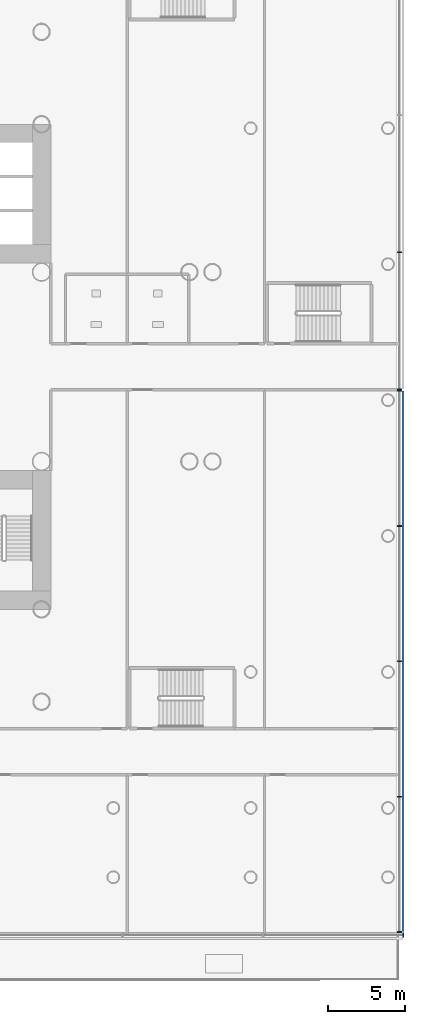
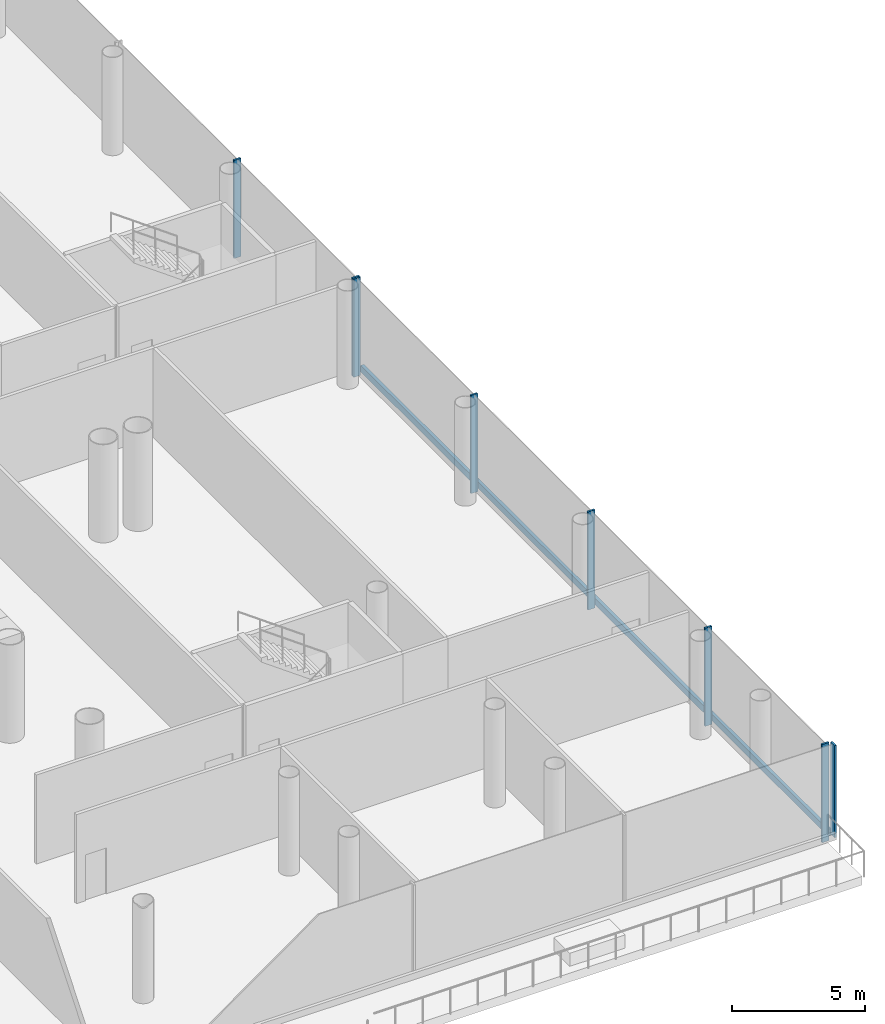
# One storey, part 13 of 49: 9 members, 3 elements without a shape of their own.
"""IFC4 building model written with IfcOpenShell, lengths in metres."""

from ifc_helpers import new_model, si_unit, direction, frame, origin, origin_2d, place, context, subcontext, project, spatial, rectangle, extrude, material, layer, layer_set, material_profile, profile_set, type_object, element, aggregate, save


model = new_model("IFC4")

# Units and contexts
model_context = context("Model", 3, precision=1e-05, world=origin(), true_north=direction((0.0, 1.0)))
body_context = subcontext(model_context, "Body", "Model", "MODEL_VIEW")
ifc_project = project(units=[si_unit("LENGTHUNIT", "METRE"), si_unit("AREAUNIT", "SQUARE_METRE"), si_unit("VOLUMEUNIT", "CUBIC_METRE"), si_unit("PLANEANGLEUNIT", "RADIAN"), si_unit("MASSUNIT", "GRAM", prefix="KILO")], contexts=[model_context])

# Site, building, storey
site_placement = place(None, origin())
site = spatial("IfcSite", under=ifc_project, at=site_placement, CompositionType="ELEMENT")
building_placement = place(site_placement, origin())
building = spatial("IfcBuilding", under=site, at=building_placement, Name="Ipe Terrace Towers", CompositionType="ELEMENT")
storey_placement = place(building_placement, frame((0.0, 0.0, 11.0)))
storey = spatial("IfcBuildingStorey", under=building, at=storey_placement, Name="L02", CompositionType="ELEMENT", Elevation=11.0)

# Curtain wall, members
ifc_material_1 = material(Name="Aluminium alloy 6063-T6", Category="aluminium")
ifc_layer = layer(ifc_material_1, 0.43994140625)
ifc_layer_set = layer_set([ifc_layer], Name="PODIUM GLAZING CURTAIN WALL")
curtain_wall_type = type_object("IfcCurtainWallType", Name="PODIUM GLAZING CURTAIN WALL", PredefinedType="NOTDEFINED", material=ifc_layer_set)
curtain_wall_1_placement = place(storey_placement, origin())
curtain_wall_1 = element("IfcCurtainWall", 1, at=curtain_wall_1_placement, inside=storey, type_object=curtain_wall_type, Name="POD-CW-L02-00a curtain wall", PredefinedType="NOTDEFINED")
ifc_material_2 = material(Name="Aluminium alloy 6063-T6", Category="aluminium")
ifc_material_profile_1 = material_profile(ifc_material_2, rectangle(XDim=0.300048828125, YDim=0.080078125, at=origin_2d()), Name="PODIUM GLAZING MULLION 300 x 80")
ifc_profile_set_1 = profile_set([ifc_material_profile_1], Name="Aluminium alloy 6063-T6")
member_type_1 = type_object("IfcMemberType", Name="PODIUM GLAZING MULLION 300 x 80", PredefinedType="MULLION", material=ifc_profile_set_1)
member_1_placement = place(storey_placement, frame((65.39990234375, -36.7099609375, -0.300048828125), z_axis=(0.0, 0.0, 1.0), x_axis=(1.0, 0.0, 0.0)))
member_1 = element("IfcMember", 2, at=member_1_placement, type_object=member_type_1, Name="POD-CW-L02-00a mullion 1", PredefinedType="MULLION", context=body_context, shape_type="SweptSolid", body=[
    extrude(rectangle(XDim=0.300048828125, YDim=0.080078125, at=origin_2d()), origin(), (0.0, 0.0, 1.0), 4.5),
])
member_2_placement = place(storey_placement, frame((65.39990234375, -27.91748046875, -0.300048828125), z_axis=(0.0, 0.0, 1.0), x_axis=(1.0, 0.0, 0.0)))
member_2 = element("IfcMember", 3, at=member_2_placement, type_object=member_type_1, Name="POD-CW-L02-00a mullion 2", PredefinedType="MULLION", context=body_context, shape_type="SweptSolid", body=[
    extrude(rectangle(XDim=0.300048828125, YDim=0.080078125, at=origin_2d()), origin(), (0.0, 0.0, 1.0), 4.5),
])
member_3_placement = place(storey_placement, frame((65.39990234375, -19.125, -0.300048828125), z_axis=(0.0, 0.0, 1.0), x_axis=(1.0, 0.0, 0.0)))
member_3 = element("IfcMember", 4, at=member_3_placement, type_object=member_type_1, Name="POD-CW-L02-00a mullion 3", PredefinedType="MULLION", context=body_context, shape_type="SweptSolid", body=[
    extrude(rectangle(XDim=0.300048828125, YDim=0.080078125, at=origin_2d()), origin(), (0.0, 0.0, 1.0), 4.5),
])
member_4_placement = place(storey_placement, frame((65.39990234375, -10.33251953125, -0.300048828125), z_axis=(0.0, 0.0, 1.0), x_axis=(1.0, 0.0, 0.0)))
member_4 = element("IfcMember", 5, at=member_4_placement, type_object=member_type_1, Name="POD-CW-L02-00a mullion 4", PredefinedType="MULLION", context=body_context, shape_type="SweptSolid", body=[
    extrude(rectangle(XDim=0.300048828125, YDim=0.080078125, at=origin_2d()), origin(), (0.0, 0.0, 1.0), 4.5),
])
member_5_placement = place(storey_placement, frame((65.39990234375, -1.5400390625, -0.300048828125), z_axis=(0.0, 0.0, 1.0), x_axis=(1.0, 0.0, 0.0)))
member_5 = element("IfcMember", 6, at=member_5_placement, type_object=member_type_1, Name="POD-CW-L02-00a mullion 5", PredefinedType="MULLION", context=body_context, shape_type="SweptSolid", body=[
    extrude(rectangle(XDim=0.300048828125, YDim=0.080078125, at=origin_2d()), origin(), (0.0, 0.0, 1.0), 4.5),
])

curtain_wall_2_placement = place(storey_placement, origin())
curtain_wall_2 = element("IfcCurtainWall", 7, at=curtain_wall_2_placement, inside=storey, type_object=curtain_wall_type, Name="POD-CW-L02-00b curtain wall", PredefinedType="NOTDEFINED")
member_6_placement = place(storey_placement, frame((65.39990234375, -1.4599609375, -0.300048828125), z_axis=(0.0, 0.0, 1.0), x_axis=(1.0, 0.0, 0.0)))
member_6 = element("IfcMember", 8, at=member_6_placement, type_object=member_type_1, Name="POD-CW-L02-00b mullion 1", PredefinedType="MULLION", context=body_context, shape_type="SweptSolid", body=[
    extrude(rectangle(XDim=0.300048828125, YDim=0.080078125, at=origin_2d()), origin(), (0.0, 0.0, 1.0), 4.5),
])
member_7_placement = place(storey_placement, frame((65.39990234375, 7.4423828125, -0.300048828125), z_axis=(0.0, 0.0, 1.0), x_axis=(1.0, 0.0, 0.0)))
member_7 = element("IfcMember", 9, at=member_7_placement, type_object=member_type_1, Name="POD-CW-L02-00b mullion 2", PredefinedType="MULLION", context=body_context, shape_type="SweptSolid", body=[
    extrude(rectangle(XDim=0.300048828125, YDim=0.080078125, at=origin_2d()), origin(), (0.0, 0.0, 1.0), 4.5),
])
aggregate(curtain_wall_2, [member_6, member_7])

# Curtain wall, member
curtain_wall_3_placement = place(storey_placement, origin())
curtain_wall_3 = element("IfcCurtainWall", 10, at=curtain_wall_3_placement, inside=storey, type_object=curtain_wall_type, Name="POD-CW-L02-03f curtain wall", PredefinedType="NOTDEFINED")
member_8_placement = place(storey_placement, frame((65.64990234375, -36.89990234375, -0.02001953125), z_axis=(0.0, 0.0, 1.0), x_axis=(0.0, -1.0, 0.0)))
member_8 = element("IfcMember", 11, at=member_8_placement, type_object=member_type_1, Name="POD-CW-L02-03f mullion 4", PredefinedType="MULLION", context=body_context, shape_type="SweptSolid", body=[
    extrude(rectangle(XDim=0.300048828125, YDim=0.080078125, at=origin_2d()), origin(), (0.0, 0.0, 1.0), 4.219970703125),
])
aggregate(curtain_wall_3, [member_8])

# Member
ifc_material_3 = material(Name="Aluminium alloy 6063-T6", Category="aluminium")
ifc_material_profile_2 = material_profile(ifc_material_3, rectangle(XDim=0.139892578125, YDim=0.300048828125, at=origin_2d()), Name="PODIUM GLAZING TRANSOM 140 x 300")
ifc_profile_set_2 = profile_set([ifc_material_profile_2], Name="Aluminium alloy 6063-T6")
member_type_2 = type_object("IfcMemberType", Name="PODIUM GLAZING TRANSOM 140 x 300", PredefinedType="USERDEFINED", material=ifc_profile_set_2)
member_9_placement = place(storey_placement, frame((65.6201171875, -36.669921875, 0.0), z_axis=(0.0, 1.0, 0.0), x_axis=(1.0, 0.0, 0.0)))
member_9 = element("IfcMember", 12, at=member_9_placement, type_object=member_type_2, Name="POD-CW-L02-00a transom", ObjectType="TRANSOM", PredefinedType="USERDEFINED", context=body_context, shape_type="SweptSolid", body=[
    extrude(rectangle(XDim=0.139892578125, YDim=0.300048828125, at=origin_2d()), origin(), (0.0, 0.0, 1.0), 35.08984375),
])

aggregate(curtain_wall_1, [member_1, member_2, member_3, member_4, member_5, member_9])

save(model, "model.ifc")
